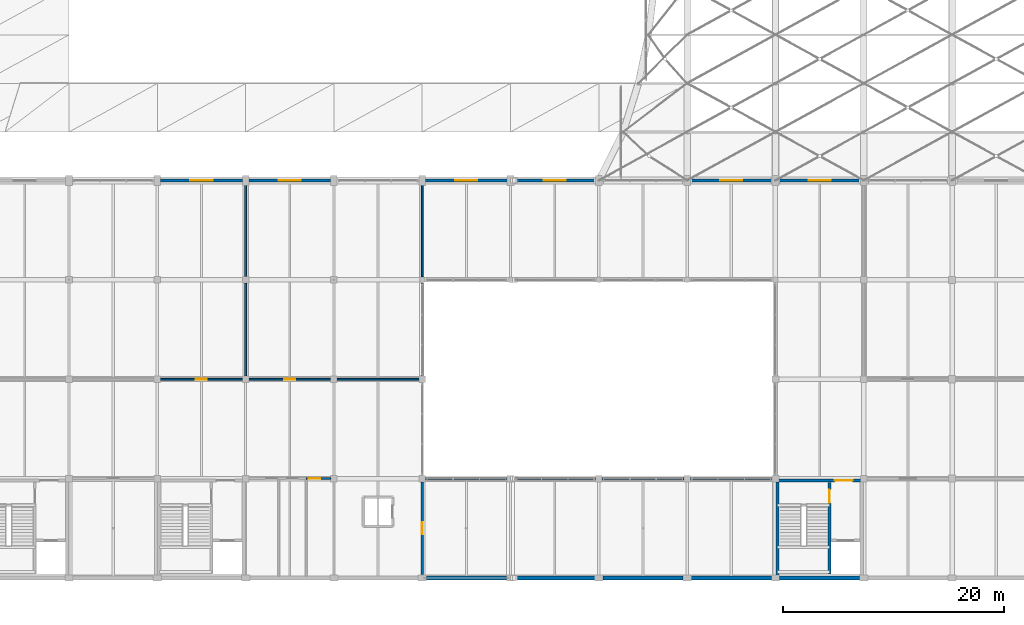
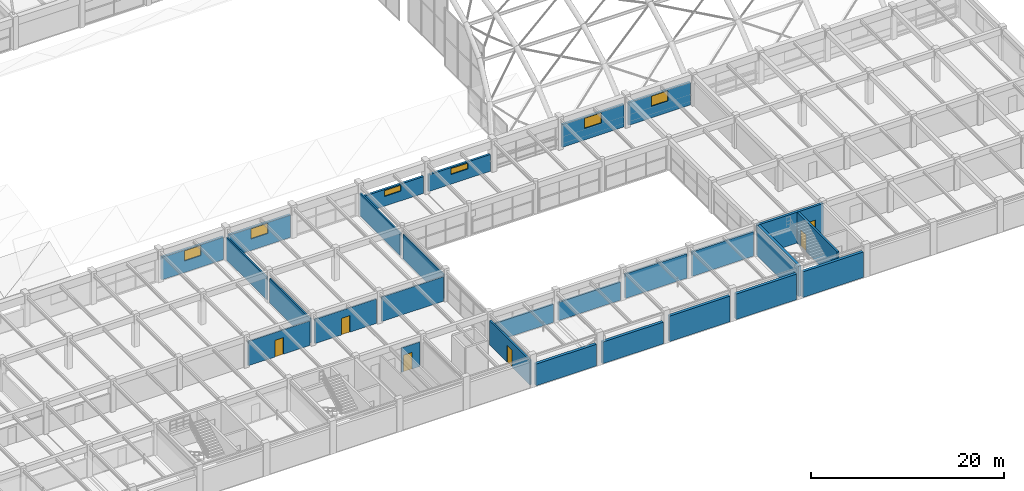
# One storey, part 98 of 126: 27 walls, 6 doors, 6 windows, 12 openings.
"""IFC4 building model written with IfcOpenShell, lengths in metres."""

from ifc_helpers import new_model, si_unit, direction, frame, frame_2d, origin, place, context, subcontext, project, spatial, rectangle, extrude, material, layer, layer_set, type_object, element, fill, save


model = new_model("IFC4")

# Units and contexts
model_context = context("Model", 3, precision=1e-05, world=origin(), true_north=direction((0.0, 1.0)))
body_context = subcontext(model_context, "Body", "Model", "MODEL_VIEW")
ifc_project = project(units=[si_unit("LENGTHUNIT", "METRE"), si_unit("AREAUNIT", "SQUARE_METRE"), si_unit("VOLUMEUNIT", "CUBIC_METRE"), si_unit("PLANEANGLEUNIT", "RADIAN"), si_unit("MASSUNIT", "GRAM", prefix="KILO")], contexts=[model_context])

# Site, building, storey
site_placement = place(None, origin())
site = spatial("IfcSite", under=ifc_project, at=site_placement, CompositionType="ELEMENT")
building_placement = place(site_placement, origin())
building = spatial("IfcBuilding", under=site, at=building_placement, Name="Varnabhumi Central Station", CompositionType="ELEMENT")
storey_placement = place(building_placement, frame((0.0, 0.0, 16.199951171875)))
storey = spatial("IfcBuildingStorey", under=building, at=storey_placement, Name="L03", CompositionType="ELEMENT", Elevation=16.199951171875)

# Walls
ifc_material_1 = material(Name="Autoclaved aerated blockwork masonry", Category="masonry")
ifc_layer_1 = layer(ifc_material_1, 0.219970703125, Name="Autoclaved aerated blockwork masonry", Category="masonry")
ifc_layer_set_1 = layer_set([ifc_layer_1], Name="Autoclaved aerated blockwork masonry")
wall_type_1 = type_object("IfcWallType", Name="WAL-COMP-AAC-220", PredefinedType="SOLIDWALL", material=ifc_layer_set_1)
for number, where, z_axis, x_axis, name in (
    (1, (112.300048828125, 9.0, 0.0), (0.0, 0.0, 1.0), (1.0, 0.0, 0.0), "Timetable and Movement Records Store Corridor Partition 1"),
    (2, (120.300048828125, 9.0, 0.0), (0.0, 0.0, 1.0), (1.0, 0.0, 0.0), "Timetable and Movement Records Store Corridor Partition 2"),
):
    element("IfcWall", number, at=place(storey_placement, frame(where, z_axis=z_axis, x_axis=x_axis)), inside=storey, type_object=wall_type_1, Name=name, PredefinedType="SOLIDWALL", context=body_context, shape_type="SweptSolid", body=[
        extrude(rectangle(XDim=7.39990234375, YDim=0.219970703125, at=frame_2d((3.699951171875, 0.0))), origin(), (0.0, 0.0, 1.0), 2.300048828125),
    ])
for number, where, z_axis, x_axis, name in (
    (3, (128.300048828125, 9.0, 0.0), (0.0, 0.0, 1.0), (1.0, 0.0, 0.0), "Timetable and Movement Records Store Corridor Partition 3"),
    (4, (136.300048828125, 9.0, 0.0), (0.0, 0.0, 1.0), (1.0, 0.0, 0.0), "Timetable and Movement Records Store Corridor Partition 4"),
):
    element("IfcWall", number, at=place(storey_placement, frame(where, z_axis=z_axis, x_axis=x_axis)), inside=storey, type_object=wall_type_1, Name=name, PredefinedType="SOLIDWALL", context=body_context, shape_type="SweptSolid", body=[
        extrude(rectangle(XDim=7.39990234375, YDim=0.219970703125, at=frame_2d((3.699951171875, 0.0))), origin(), (0.0, 0.0, 1.0), 3.10009765625),
    ])

# Wall, opening, door
wall_1_placement = place(storey_placement, frame((112.0, 0.300048828125, 0.0), z_axis=(0.0, 0.0, 1.0), x_axis=(0.0, 1.0, 0.0)))
wall_1 = element("IfcWall", 5, at=wall_1_placement, inside=storey, type_object=wall_type_1, Name="Timetable and Movement Records Store E Partition 1", PredefinedType="SOLIDWALL", context=body_context, shape_type="SweptSolid", body=[
    extrude(rectangle(XDim=8.39990234375, YDim=0.219970703125, at=frame_2d((4.199951171875, 0.0))), origin(), (0.0, 0.0, 1.0), 3.10009765625),
])
opening_1_placement = place(wall_1_placement, frame((3.64990234375, 0.0, 0.0)))
opening_1 = element("IfcOpeningElement", 6, at=opening_1_placement, cuts=wall_1, Name="Opening FD-60", PredefinedType="OPENING", context=body_context, shape_type="SweptSolid", body=[
    extrude(rectangle(XDim=1.10009765625, YDim=2.14990234375, at=frame_2d((0.550048828125, 1.074951171875))), frame((0.0, 0.119873046875, 0.0), z_axis=(0.0, -1.0, 0.0), x_axis=(1.0, 0.0, 0.0)), (0.0, 0.0, 1.0), 0.239990234375),
])
ifc_material_2 = material(Name="Intumescent-treated hardwood timber", Category="wood")
door_type_1 = type_object("IfcDoorType", Name="DR-FIRE-60-1100", OperationType="NOTDEFINED", PredefinedType="DOOR", material=ifc_material_2)
door_1_placement = place(opening_1_placement, frame((1.10009765625, 0.0, 0.0), z_axis=(0.0, 0.0, 1.0), x_axis=(-1.0, 0.0, 0.0)))
door_1 = element("IfcDoor", 7, at=door_1_placement, inside=storey, type_object=door_type_1, Name="Timetable and Movement Records Store Corridor Access Door", OperationType="SINGLE_SWING_LEFT", OverallHeight=2.14990234375, OverallWidth=1.10009765625, PredefinedType="DOOR", context=body_context, shape_type="SweptSolid", body=[
    extrude(rectangle(XDim=1.10009765625, YDim=2.14990234375, at=frame_2d((0.550048828125, 1.074951171875))), frame((0.0, 0.02490234375, 0.0), z_axis=(0.0, -1.0, 0.0), x_axis=(1.0, 0.0, 0.0)), (0.0, 0.0, 1.0), 0.050048828125),
])
fill(opening_1, door_1)

# Wall
ifc_material_3 = material(Name="Concrete M40", Category="concrete")
ifc_layer_2 = layer(ifc_material_3, 0.300048828125, Name="Concrete M40", Category="concrete")
ifc_layer_set_2 = layer_set([ifc_layer_2], Name="Concrete M40")
wall_type_2 = type_object("IfcWallType", Name="WAL-CORE-RC-300", PredefinedType="SHEAR", material=ifc_layer_set_2)
wall_2_placement = place(storey_placement, frame((144.179931640625, 0.179931640625, 0.0), z_axis=(0.0, 0.0, 1.0), x_axis=(0.0, 1.0, 0.0)))
element("IfcWall", 8, at=wall_2_placement, inside=storey, type_object=wall_type_2, Name="SC3 L03 West Shear Wall", PredefinedType="SHEAR", context=body_context, shape_type="SweptSolid", body=[
    extrude(rectangle(XDim=8.64013671875, YDim=0.300048828125, at=frame_2d((4.320068359375, 0.0))), origin(), (0.0, 0.0, 1.0), 3.920166015625),
])

# Wall, opening, door
wall_3_placement = place(storey_placement, frame((144.030029296875, 8.820068359375, 0.0), z_axis=(0.0, 0.0, 1.0), x_axis=(1.0, 0.0, 0.0)))
wall_3 = element("IfcWall", 9, at=wall_3_placement, inside=storey, type_object=wall_type_2, Name="SC3 L03 Corridor Shear Wall", PredefinedType="SHEAR", context=body_context, shape_type="SweptSolid", body=[
    extrude(rectangle(XDim=7.93994140625, YDim=0.300048828125, at=frame_2d((3.969970703125, 0.0))), origin(), (0.0, 0.0, 1.0), 3.920166015625),
])
opening_2_placement = place(wall_3_placement, frame((5.35009765625, 0.0, 0.0)))
opening_2 = element("IfcOpeningElement", 10, at=opening_2_placement, cuts=wall_3, Name="Opening FD-60D", PredefinedType="OPENING", context=body_context, shape_type="SweptSolid", body=[
    extrude(rectangle(XDim=1.60009765625, YDim=2.14990234375, at=frame_2d((0.800048828125, 1.074951171875))), frame((0.0, 0.159912109375, 0.0), z_axis=(0.0, -1.0, 0.0), x_axis=(1.0, 0.0, 0.0)), (0.0, 0.0, 1.0), 0.320068359375),
])
door_type_2 = type_object("IfcDoorType", Name="DR-FIRE-60-1600", OperationType="NOTDEFINED", PredefinedType="DOOR", material=ifc_material_2)
door_2_placement = place(opening_2_placement, origin())
door_2 = element("IfcDoor", 11, at=door_2_placement, inside=storey, type_object=door_type_2, Name="SC3 L03 Lobby Fire Door", OperationType="DOUBLE_DOOR_SINGLE_SWING", OverallHeight=2.14990234375, OverallWidth=1.60009765625, PredefinedType="DOOR", context=body_context, shape_type="SweptSolid", body=[
    extrude(rectangle(XDim=1.60009765625, YDim=2.14990234375, at=frame_2d((0.800048828125, 1.074951171875))), frame((0.0, 0.02490234375, 0.0), z_axis=(0.0, -1.0, 0.0), x_axis=(1.0, 0.0, 0.0)), (0.0, 0.0, 1.0), 0.050048828125),
])
fill(opening_2, door_2)

# Wall, opening, window
ifc_layer_3 = layer(ifc_material_1, 0.260009765625, Name="Autoclaved aerated blockwork masonry", Category="masonry")
ifc_layer_set_3 = layer_set([ifc_layer_3], Name="Autoclaved aerated blockwork masonry")
wall_type_3 = type_object("IfcWallType", Name="WAL-EXT-STUCCO-260", PredefinedType="SOLIDWALL", material=ifc_layer_set_3)
wall_4_placement = place(storey_placement, frame((88.294921875, 36.0, 0.0), z_axis=(0.0, 0.0, 1.0), x_axis=(1.0, 0.0, 0.0)))
wall_4 = element("IfcWall", 12, at=wall_4_placement, inside=storey, type_object=wall_type_3, Name="South Spine Wall L03-8", PredefinedType="SOLIDWALL", context=body_context, shape_type="SweptSolid", body=[
    extrude(rectangle(XDim=7.41015625, YDim=0.260009765625, at=frame_2d((3.705078125, 0.0))), origin(), (0.0, 0.0, 1.0), 2.880126953125),
])
opening_3_placement = place(wall_4_placement, frame((2.705078125, 0.0, 1.449951171875)))
opening_3 = element("IfcOpeningElement", 13, at=opening_3_placement, cuts=wall_4, Name="Opening W-06", PredefinedType="OPENING", context=body_context, shape_type="SweptSolid", body=[
    extrude(rectangle(XDim=2.0, YDim=1.2900390625, at=frame_2d((1.0, 0.64501953125))), frame((0.0, 0.139892578125, 0.0), z_axis=(0.0, -1.0, 0.0), x_axis=(1.0, 0.0, 0.0)), (0.0, 0.0, 1.0), 0.280029296875),
])
ifc_material_4 = material(Name="Laminated low-E double glazing", Category="glass")
window_type = type_object("IfcWindowType", Name="WIN-OPS-2000x1900", PartitioningType="DOUBLE_PANEL_VERTICAL", PredefinedType="WINDOW", material=ifc_material_4)
window_1_placement = place(opening_3_placement, origin())
window_1 = element("IfcWindow", 14, at=window_1_placement, inside=storey, type_object=window_type, Name="South Spine Overlook Window L03-8", OverallHeight=1.2900390625, OverallWidth=2.0, PartitioningType="SINGLE_PANEL", PredefinedType="WINDOW", context=body_context, shape_type="SweptSolid", body=[
    extrude(rectangle(XDim=2.0, YDim=1.2900390625, at=frame_2d((1.0, 0.64501953125))), frame((0.0, 0.030029296875, 0.0), z_axis=(0.0, -1.0, 0.0), x_axis=(1.0, 0.0, 0.0)), (0.0, 0.0, 1.0), 0.06005859375),
])
fill(opening_3, window_1)

wall_5_placement = place(storey_placement, frame((96.294921875, 36.0, 0.0), z_axis=(0.0, 0.0, 1.0), x_axis=(1.0, 0.0, 0.0)))
wall_5 = element("IfcWall", 15, at=wall_5_placement, inside=storey, type_object=wall_type_3, Name="South Spine Wall L03-9", PredefinedType="SOLIDWALL", context=body_context, shape_type="SweptSolid", body=[
    extrude(rectangle(XDim=7.41015625, YDim=0.260009765625, at=frame_2d((3.705078125, 0.0))), origin(), (0.0, 0.0, 1.0), 2.880126953125),
])
opening_4_placement = place(wall_5_placement, frame((2.705078125, 0.0, 1.449951171875)))
opening_4 = element("IfcOpeningElement", 16, at=opening_4_placement, cuts=wall_5, Name="Opening W-06", PredefinedType="OPENING", context=body_context, shape_type="SweptSolid", body=[
    extrude(rectangle(XDim=2.0, YDim=1.2900390625, at=frame_2d((1.0, 0.64501953125))), frame((0.0, 0.139892578125, 0.0), z_axis=(0.0, -1.0, 0.0), x_axis=(1.0, 0.0, 0.0)), (0.0, 0.0, 1.0), 0.280029296875),
])
window_2_placement = place(opening_4_placement, origin())
window_2 = element("IfcWindow", 17, at=window_2_placement, inside=storey, type_object=window_type, Name="South Spine Overlook Window L03-9", OverallHeight=1.2900390625, OverallWidth=2.0, PartitioningType="SINGLE_PANEL", PredefinedType="WINDOW", context=body_context, shape_type="SweptSolid", body=[
    extrude(rectangle(XDim=2.0, YDim=1.2900390625, at=frame_2d((1.0, 0.64501953125))), frame((0.0, 0.030029296875, 0.0), z_axis=(0.0, -1.0, 0.0), x_axis=(1.0, 0.0, 0.0)), (0.0, 0.0, 1.0), 0.06005859375),
])
fill(opening_4, window_2)

wall_6_placement = place(storey_placement, frame((112.294921875, 36.0, 0.0), z_axis=(0.0, 0.0, 1.0), x_axis=(1.0, 0.0, 0.0)))
wall_6 = element("IfcWall", 18, at=wall_6_placement, inside=storey, type_object=wall_type_3, Name="South Spine Wall L03-11", PredefinedType="SOLIDWALL", context=body_context, shape_type="SweptSolid", body=[
    extrude(rectangle(XDim=7.41015625, YDim=0.260009765625, at=frame_2d((3.705078125, 0.0))), origin(), (0.0, 0.0, 1.0), 2.1201171875),
])
opening_5_placement = place(wall_6_placement, frame((2.705078125, 0.0, 1.22998046875)))
opening_5 = element("IfcOpeningElement", 19, at=opening_5_placement, cuts=wall_6, Name="Opening W-06", PredefinedType="OPENING", context=body_context, shape_type="SweptSolid", body=[
    extrude(rectangle(XDim=2.0, YDim=0.75, at=frame_2d((1.0, 0.375))), frame((0.0, 0.139892578125, 0.0), z_axis=(0.0, -1.0, 0.0), x_axis=(1.0, 0.0, 0.0)), (0.0, 0.0, 1.0), 0.280029296875),
])
window_3_placement = place(opening_5_placement, origin())
window_3 = element("IfcWindow", 20, at=window_3_placement, inside=storey, type_object=window_type, Name="South Spine Overlook Window L03-11", OverallHeight=0.75, OverallWidth=2.0, PartitioningType="SINGLE_PANEL", PredefinedType="WINDOW", context=body_context, shape_type="SweptSolid", body=[
    extrude(rectangle(XDim=2.0, YDim=0.75, at=frame_2d((1.0, 0.375))), frame((0.0, 0.030029296875, 0.0), z_axis=(0.0, -1.0, 0.0), x_axis=(1.0, 0.0, 0.0)), (0.0, 0.0, 1.0), 0.06005859375),
])
fill(opening_5, window_3)

wall_7_placement = place(storey_placement, frame((120.294921875, 36.0, 0.0), z_axis=(0.0, 0.0, 1.0), x_axis=(1.0, 0.0, 0.0)))
wall_7 = element("IfcWall", 21, at=wall_7_placement, inside=storey, type_object=wall_type_3, Name="South Spine Wall L03-12", PredefinedType="SOLIDWALL", context=body_context, shape_type="SweptSolid", body=[
    extrude(rectangle(XDim=7.41015625, YDim=0.260009765625, at=frame_2d((3.705078125, 0.0))), origin(), (0.0, 0.0, 1.0), 2.1201171875),
])
opening_6_placement = place(wall_7_placement, frame((2.705078125, 0.0, 1.22998046875)))
opening_6 = element("IfcOpeningElement", 22, at=opening_6_placement, cuts=wall_7, Name="Opening W-06", PredefinedType="OPENING", context=body_context, shape_type="SweptSolid", body=[
    extrude(rectangle(XDim=2.0, YDim=0.75, at=frame_2d((1.0, 0.375))), frame((0.0, 0.139892578125, 0.0), z_axis=(0.0, -1.0, 0.0), x_axis=(1.0, 0.0, 0.0)), (0.0, 0.0, 1.0), 0.280029296875),
])
window_4_placement = place(opening_6_placement, origin())
window_4 = element("IfcWindow", 23, at=window_4_placement, inside=storey, type_object=window_type, Name="South Spine Overlook Window L03-12", OverallHeight=0.75, OverallWidth=2.0, PartitioningType="SINGLE_PANEL", PredefinedType="WINDOW", context=body_context, shape_type="SweptSolid", body=[
    extrude(rectangle(XDim=2.0, YDim=0.75, at=frame_2d((1.0, 0.375))), frame((0.0, 0.030029296875, 0.0), z_axis=(0.0, -1.0, 0.0), x_axis=(1.0, 0.0, 0.0)), (0.0, 0.0, 1.0), 0.06005859375),
])
fill(opening_6, window_4)

wall_8_placement = place(storey_placement, frame((136.294921875, 36.0, 0.0), z_axis=(0.0, 0.0, 1.0), x_axis=(1.0, 0.0, 0.0)))
wall_8 = element("IfcWall", 24, at=wall_8_placement, inside=storey, type_object=wall_type_3, Name="South Spine Wall L03-14", PredefinedType="SOLIDWALL", context=body_context, shape_type="SweptSolid", body=[
    extrude(rectangle(XDim=7.41015625, YDim=0.260009765625, at=frame_2d((3.705078125, 0.0))), origin(), (0.0, 0.0, 1.0), 2.880126953125),
])
opening_7_placement = place(wall_8_placement, frame((2.705078125, 0.0, 1.449951171875)))
opening_7 = element("IfcOpeningElement", 25, at=opening_7_placement, cuts=wall_8, Name="Opening W-06", PredefinedType="OPENING", context=body_context, shape_type="SweptSolid", body=[
    extrude(rectangle(XDim=2.0, YDim=1.2900390625, at=frame_2d((1.0, 0.64501953125))), frame((0.0, 0.139892578125, 0.0), z_axis=(0.0, -1.0, 0.0), x_axis=(1.0, 0.0, 0.0)), (0.0, 0.0, 1.0), 0.280029296875),
])
window_5_placement = place(opening_7_placement, origin())
window_5 = element("IfcWindow", 26, at=window_5_placement, inside=storey, type_object=window_type, Name="South Spine Overlook Window L03-14", OverallHeight=1.2900390625, OverallWidth=2.0, PartitioningType="SINGLE_PANEL", PredefinedType="WINDOW", context=body_context, shape_type="SweptSolid", body=[
    extrude(rectangle(XDim=2.0, YDim=1.2900390625, at=frame_2d((1.0, 0.64501953125))), frame((0.0, 0.030029296875, 0.0), z_axis=(0.0, -1.0, 0.0), x_axis=(1.0, 0.0, 0.0)), (0.0, 0.0, 1.0), 0.06005859375),
])
fill(opening_7, window_5)

wall_9_placement = place(storey_placement, frame((144.294921875, 36.0, 0.0), z_axis=(0.0, 0.0, 1.0), x_axis=(1.0, 0.0, 0.0)))
wall_9 = element("IfcWall", 27, at=wall_9_placement, inside=storey, type_object=wall_type_3, Name="South Spine Wall L03-15", PredefinedType="SOLIDWALL", context=body_context, shape_type="SweptSolid", body=[
    extrude(rectangle(XDim=7.41015625, YDim=0.260009765625, at=frame_2d((3.705078125, 0.0))), origin(), (0.0, 0.0, 1.0), 2.880126953125),
])
opening_8_placement = place(wall_9_placement, frame((2.705078125, 0.0, 1.449951171875)))
opening_8 = element("IfcOpeningElement", 28, at=opening_8_placement, cuts=wall_9, Name="Opening W-06", PredefinedType="OPENING", context=body_context, shape_type="SweptSolid", body=[
    extrude(rectangle(XDim=2.0, YDim=1.2900390625, at=frame_2d((1.0, 0.64501953125))), frame((0.0, 0.139892578125, 0.0), z_axis=(0.0, -1.0, 0.0), x_axis=(1.0, 0.0, 0.0)), (0.0, 0.0, 1.0), 0.280029296875),
])
window_6_placement = place(opening_8_placement, origin())
window_6 = element("IfcWindow", 29, at=window_6_placement, inside=storey, type_object=window_type, Name="South Spine Overlook Window L03-15", OverallHeight=1.2900390625, OverallWidth=2.0, PartitioningType="SINGLE_PANEL", PredefinedType="WINDOW", context=body_context, shape_type="SweptSolid", body=[
    extrude(rectangle(XDim=2.0, YDim=1.2900390625, at=frame_2d((1.0, 0.64501953125))), frame((0.0, 0.030029296875, 0.0), z_axis=(0.0, -1.0, 0.0), x_axis=(1.0, 0.0, 0.0)), (0.0, 0.0, 1.0), 0.06005859375),
])
fill(opening_8, window_6)

# Wall, opening, door
ifc_layer_4 = layer(ifc_material_1, 0.159912109375, Name="Autoclaved aerated blockwork masonry", Category="masonry")
ifc_layer_set_4 = layer_set([ifc_layer_4], Name="Autoclaved aerated blockwork masonry")
wall_type_4 = type_object("IfcWallType", Name="WAL-PART-AAC-160", PredefinedType="PARTITIONING", material=ifc_layer_set_4)
wall_10_placement = place(storey_placement, frame((88.300048828125, 18.0, 0.0), z_axis=(0.0, 0.0, 1.0), x_axis=(1.0, 0.0, 0.0)))
wall_10 = element("IfcWall", 30, at=wall_10_placement, inside=storey, type_object=wall_type_4, Name="Station Control Room Corridor Partition 4", PredefinedType="PARTITIONING", context=body_context, shape_type="SweptSolid", body=[
    extrude(rectangle(XDim=7.39990234375, YDim=0.159912109375, at=frame_2d((3.699951171875, 0.0))), origin(), (0.0, 0.0, 1.0), 3.10009765625),
])
opening_9_placement = place(wall_10_placement, frame((3.199951171875, 0.0, 0.0)))
opening_9 = element("IfcOpeningElement", 31, at=opening_9_placement, cuts=wall_10, Name="Opening D-01", PredefinedType="OPENING", context=body_context, shape_type="SweptSolid", body=[
    extrude(rectangle(XDim=1.0, YDim=2.10009765625, at=frame_2d((0.5, 1.050048828125))), frame((0.0, 0.08984375, 0.0), z_axis=(0.0, -1.0, 0.0), x_axis=(1.0, 0.0, 0.0)), (0.0, 0.0, 1.0), 0.179931640625),
])
door_type_3 = type_object("IfcDoorType", Name="DR-ROOM-1000", OperationType="NOTDEFINED", PredefinedType="DOOR", material=ifc_material_2)
door_3_placement = place(opening_9_placement, frame((1.0, 0.0, 0.0), z_axis=(0.0, 0.0, 1.0), x_axis=(-1.0, 0.0, 0.0)))
door_3 = element("IfcDoor", 32, at=door_3_placement, inside=storey, type_object=door_type_3, Name="Station Control Room Door 4", OperationType="SINGLE_SWING_RIGHT", OverallHeight=2.10009765625, OverallWidth=1.0, PredefinedType="DOOR", context=body_context, shape_type="SweptSolid", body=[
    extrude(rectangle(XDim=1.0, YDim=2.10009765625, at=frame_2d((0.5, 1.050048828125))), frame((0.0, 0.02490234375, 0.0), z_axis=(0.0, -1.0, 0.0), x_axis=(1.0, 0.0, 0.0)), (0.0, 0.0, 1.0), 0.050048828125),
])
fill(opening_9, door_3)

# Walls
wall_11_placement = place(storey_placement, frame((96.0, 18.300048828125, 0.0), z_axis=(0.0, 0.0, 1.0), x_axis=(0.0, 1.0, 0.0)))
element("IfcWall", 33, at=wall_11_placement, inside=storey, type_object=wall_type_4, Name="Station Control Room W Partition 1", PredefinedType="PARTITIONING", context=body_context, shape_type="SweptSolid", body=[
    extrude(rectangle(XDim=8.39990234375, YDim=0.159912109375, at=frame_2d((4.199951171875, 0.0))), origin(), (0.0, 0.0, 1.0), 3.10009765625),
])
wall_12_placement = place(storey_placement, frame((96.0, 27.300048828125, 0.0), z_axis=(0.0, 0.0, 1.0), x_axis=(0.0, 1.0, 0.0)))
element("IfcWall", 34, at=wall_12_placement, inside=storey, type_object=wall_type_4, Name="Station Control Room W Partition 2", PredefinedType="PARTITIONING", context=body_context, shape_type="SweptSolid", body=[
    extrude(rectangle(XDim=8.39990234375, YDim=0.159912109375, at=frame_2d((4.199951171875, 0.0))), origin(), (0.0, 0.0, 1.0), 2.880126953125),
])

# Wall, opening, door
wall_13_placement = place(storey_placement, frame((96.300048828125, 18.0, 0.0), z_axis=(0.0, 0.0, 1.0), x_axis=(1.0, 0.0, 0.0)))
wall_13 = element("IfcWall", 35, at=wall_13_placement, inside=storey, type_object=wall_type_4, Name="Passenger Information and Announcement Control Room Corridor Partition 1", PredefinedType="PARTITIONING", context=body_context, shape_type="SweptSolid", body=[
    extrude(rectangle(XDim=7.39990234375, YDim=0.159912109375, at=frame_2d((3.699951171875, 0.0))), origin(), (0.0, 0.0, 1.0), 3.10009765625),
])
opening_10_placement = place(wall_13_placement, frame((3.199951171875, 0.0, 0.0)))
opening_10 = element("IfcOpeningElement", 36, at=opening_10_placement, cuts=wall_13, Name="Opening D-01", PredefinedType="OPENING", context=body_context, shape_type="SweptSolid", body=[
    extrude(rectangle(XDim=1.0, YDim=2.10009765625, at=frame_2d((0.5, 1.050048828125))), frame((0.0, 0.08984375, 0.0), z_axis=(0.0, -1.0, 0.0), x_axis=(1.0, 0.0, 0.0)), (0.0, 0.0, 1.0), 0.179931640625),
])
door_4_placement = place(opening_10_placement, frame((1.0, 0.0, 0.0), z_axis=(0.0, 0.0, 1.0), x_axis=(-1.0, 0.0, 0.0)))
door_4 = element("IfcDoor", 37, at=door_4_placement, inside=storey, type_object=door_type_3, Name="Passenger Information and Announcement Control Room Door 1", OperationType="SINGLE_SWING_LEFT", OverallHeight=2.10009765625, OverallWidth=1.0, PredefinedType="DOOR", context=body_context, shape_type="SweptSolid", body=[
    extrude(rectangle(XDim=1.0, YDim=2.10009765625, at=frame_2d((0.5, 1.050048828125))), frame((0.0, 0.02490234375, 0.0), z_axis=(0.0, -1.0, 0.0), x_axis=(1.0, 0.0, 0.0)), (0.0, 0.0, 1.0), 0.050048828125),
])
fill(opening_10, door_4)

# Walls
wall_14_placement = place(storey_placement, frame((104.300048828125, 18.0, 0.0), z_axis=(0.0, 0.0, 1.0), x_axis=(1.0, 0.0, 0.0)))
element("IfcWall", 38, at=wall_14_placement, inside=storey, type_object=wall_type_4, Name="Passenger Information and Announcement Control Room Corridor Partition 2", PredefinedType="PARTITIONING", context=body_context, shape_type="SweptSolid", body=[
    extrude(rectangle(XDim=7.39990234375, YDim=0.159912109375, at=frame_2d((3.699951171875, 0.0))), origin(), (0.0, 0.0, 1.0), 3.10009765625),
])
wall_15_placement = place(storey_placement, frame((112.0, 18.300048828125, 0.0), z_axis=(0.0, 0.0, 1.0), x_axis=(0.0, 1.0, 0.0)))
element("IfcWall", 39, at=wall_15_placement, inside=storey, type_object=wall_type_4, Name="Passenger Information and Announcement Control Room W Partition 1", PredefinedType="PARTITIONING", context=body_context, shape_type="SweptSolid", body=[
    extrude(rectangle(XDim=8.39990234375, YDim=0.159912109375, at=frame_2d((4.199951171875, 0.0))), origin(), (0.0, 0.0, 1.0), 3.10009765625),
])
wall_16_placement = place(storey_placement, frame((112.0, 27.300048828125, 0.0), z_axis=(0.0, 0.0, 1.0), x_axis=(0.0, 1.0, 0.0)))
element("IfcWall", 40, at=wall_16_placement, inside=storey, type_object=wall_type_4, Name="Passenger Information and Announcement Control Room W Partition 2", PredefinedType="PARTITIONING", context=body_context, shape_type="SweptSolid", body=[
    extrude(rectangle(XDim=8.39990234375, YDim=0.159912109375, at=frame_2d((4.199951171875, 0.0))), origin(), (0.0, 0.0, 1.0), 2.880126953125),
])

# Wall, opening, door
wall_17_placement = place(storey_placement, frame((101.5, 9.0, 0.0), z_axis=(0.0, 0.0, 1.0), x_axis=(1.0, 0.0, 0.0)))
wall_17 = element("IfcWall", 41, at=wall_17_placement, inside=storey, type_object=wall_type_4, Name="Accessible WC L03 South Corridor Partition 1", PredefinedType="PARTITIONING", context=body_context, shape_type="SweptSolid", body=[
    extrude(rectangle(XDim=2.199951171875, YDim=0.159912109375, at=frame_2d((1.10009765625, 0.0))), origin(), (0.0, 0.0, 1.0), 3.10009765625),
])
opening_11_placement = place(wall_17_placement, frame((0.199951171875, 0.0, 0.0)))
opening_11 = element("IfcOpeningElement", 42, at=opening_11_placement, cuts=wall_17, Name="Opening D-05", PredefinedType="OPENING", context=body_context, shape_type="SweptSolid", body=[
    extrude(rectangle(XDim=1.050048828125, YDim=2.10009765625, at=frame_2d((0.52490234375, 1.050048828125))), frame((0.0, 0.08984375, 0.0), z_axis=(0.0, -1.0, 0.0), x_axis=(1.0, 0.0, 0.0)), (0.0, 0.0, 1.0), 0.179931640625),
])
door_type_4 = type_object("IfcDoorType", Name="DR-ACC-WC-1050", OperationType="NOTDEFINED", PredefinedType="DOOR", material=ifc_material_2)
door_5_placement = place(opening_11_placement, origin())
door_5 = element("IfcDoor", 43, at=door_5_placement, inside=storey, type_object=door_type_4, Name="Accessible WC L03 South Door 1", OperationType="SINGLE_SWING_RIGHT", OverallHeight=2.10009765625, OverallWidth=1.050048828125, PredefinedType="DOOR", context=body_context, shape_type="SweptSolid", body=[
    extrude(rectangle(XDim=1.050048828125, YDim=2.10009765625, at=frame_2d((0.52490234375, 1.050048828125))), frame((0.0, 0.02490234375, 0.0), z_axis=(0.0, -1.0, 0.0), x_axis=(1.0, 0.0, 0.0)), (0.0, 0.0, 1.0), 0.050048828125),
])
fill(opening_11, door_5)

ifc_layer_5 = layer(ifc_material_3, 0.239990234375, Name="Concrete M40", Category="concrete")
ifc_layer_set_5 = layer_set([ifc_layer_5], Name="Concrete M40")
wall_type_5 = type_object("IfcWallType", Name="WAL-SHAFT-RC-240", PredefinedType="SHEAR", material=ifc_layer_set_5)
wall_18_placement = place(storey_placement, frame((148.89990234375, 0.35009765625, 0.0), z_axis=(0.0, 0.0, 1.0), x_axis=(0.0, 1.0, 0.0)))
wall_18 = element("IfcWall", 44, at=wall_18_placement, inside=storey, type_object=wall_type_5, Name="SC3 L03 Stair-Lobby Divider Wall", PredefinedType="SHEAR", context=body_context, shape_type="SweptSolid", body=[
    extrude(rectangle(XDim=8.2998046875, YDim=0.239990234375, at=frame_2d((4.14990234375, 0.0))), origin(), (0.0, 0.0, 1.0), 3.920166015625),
])
opening_12_placement = place(wall_18_placement, frame((6.449951171875, 0.0, 0.0)))
opening_12 = element("IfcOpeningElement", 45, at=opening_12_placement, cuts=wall_18, Name="Opening FD-120", PredefinedType="OPENING", context=body_context, shape_type="SweptSolid", body=[
    extrude(rectangle(XDim=1.199951171875, YDim=2.14990234375, at=frame_2d((0.60009765625, 1.074951171875))), frame((0.0, 0.1298828125, 0.0), z_axis=(0.0, -1.0, 0.0), x_axis=(1.0, 0.0, 0.0)), (0.0, 0.0, 1.0), 0.260009765625),
])
ifc_material_5 = material(Name="Stainless steel Grade 316", Category="steel")
door_type_5 = type_object("IfcDoorType", Name="DR-FIRE-120-1200", OperationType="NOTDEFINED", PredefinedType="DOOR", material=ifc_material_5)
door_6_placement = place(opening_12_placement, origin())
door_6 = element("IfcDoor", 46, at=door_6_placement, inside=storey, type_object=door_type_5, Name="ST-S3 L03 Fire Door", OperationType="SINGLE_SWING_RIGHT", OverallHeight=2.14990234375, OverallWidth=1.199951171875, PredefinedType="DOOR", context=body_context, shape_type="SweptSolid", body=[
    extrude(rectangle(XDim=1.199951171875, YDim=2.14990234375, at=frame_2d((0.60009765625, 1.074951171875))), frame((0.0, 0.02490234375, 0.0), z_axis=(0.0, -1.0, 0.0), x_axis=(1.0, 0.0, 0.0)), (0.0, 0.0, 1.0), 0.050048828125),
])
fill(opening_12, door_6)

# Walls
ifc_layer_6 = layer(ifc_material_3, 0.340087890625, Name="Concrete M40", Category="concrete")
ifc_layer_set_6 = layer_set([ifc_layer_6], Name="Concrete M40")
wall_type_6 = type_object("IfcWallType", Name="WAL-SOUTH-FIRE-340", PredefinedType="SOLIDWALL", material=ifc_layer_set_6)
for number, where, z_axis, x_axis, name in (
    (47, (112.3701171875, 0.0, 0.0), (0.0, 0.0, 1.0), (1.0, 0.0, 0.0), "South Infill Boundary Fire Wall L03-11"),
    (48, (120.3701171875, 0.0, 0.0), (0.0, 0.0, 1.0), (1.0, 0.0, 0.0), "South Infill Boundary Fire Wall L03-12"),
):
    element("IfcWall", number, at=place(storey_placement, frame(where, z_axis=z_axis, x_axis=x_axis)), inside=storey, type_object=wall_type_6, Name=name, PredefinedType="SOLIDWALL", context=body_context, shape_type="SweptSolid", body=[
        extrude(rectangle(XDim=7.259765625, YDim=0.340087890625, at=frame_2d((3.6298828125, 0.0))), origin(), (0.0, 0.0, 1.0), 2.75),
    ])
for number, where, z_axis, x_axis, name in (
    (49, (128.3701171875, 0.0, 0.0), (0.0, 0.0, 1.0), (1.0, 0.0, 0.0), "South Infill Boundary Fire Wall L03-13"),
    (50, (136.3701171875, 0.0, 0.0), (0.0, 0.0, 1.0), (1.0, 0.0, 0.0), "South Infill Boundary Fire Wall L03-14"),
    (51, (144.3701171875, 0.0, 0.0), (0.0, 0.0, 1.0), (1.0, 0.0, 0.0), "South Infill Boundary Fire Wall L03-15"),
):
    element("IfcWall", number, at=place(storey_placement, frame(where, z_axis=z_axis, x_axis=x_axis)), inside=storey, type_object=wall_type_6, Name=name, PredefinedType="SOLIDWALL", context=body_context, shape_type="SweptSolid", body=[
        extrude(rectangle(XDim=7.259765625, YDim=0.340087890625, at=frame_2d((3.6298828125, 0.0))), origin(), (0.0, 0.0, 1.0), 3.239990234375),
    ])

save(model, "model.ifc")
